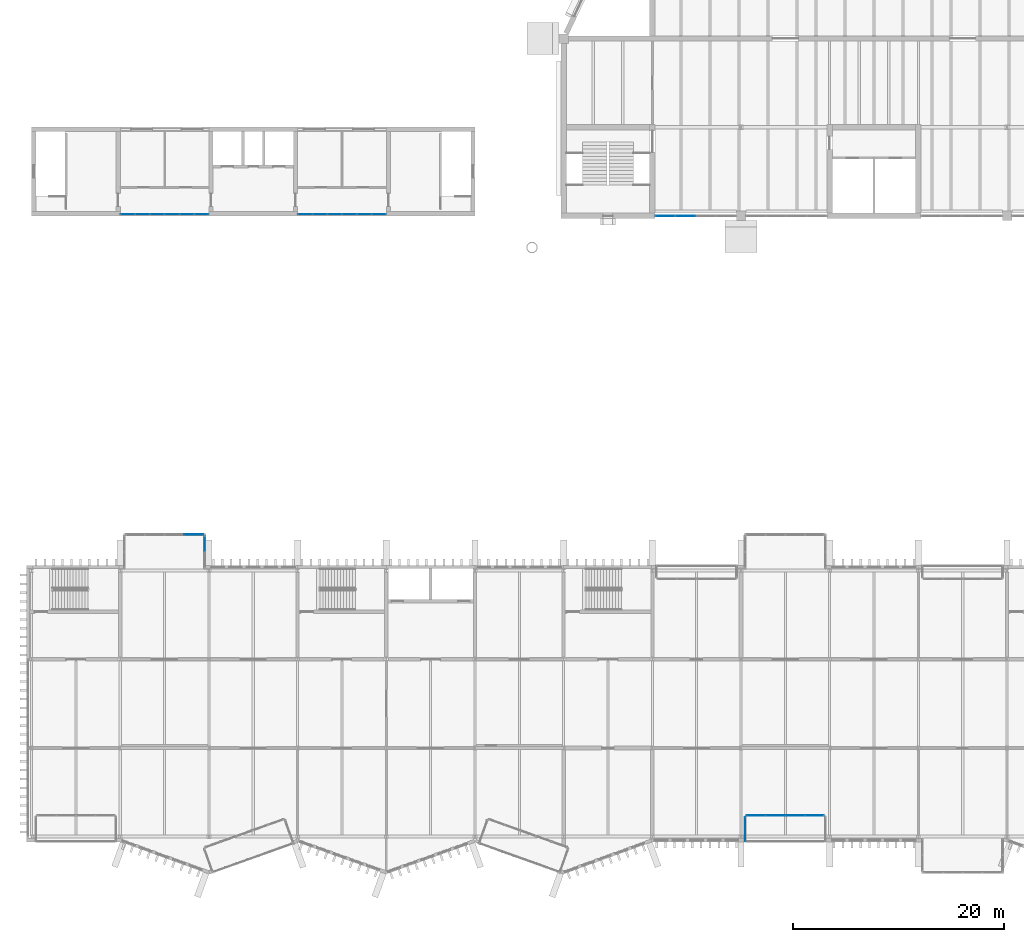
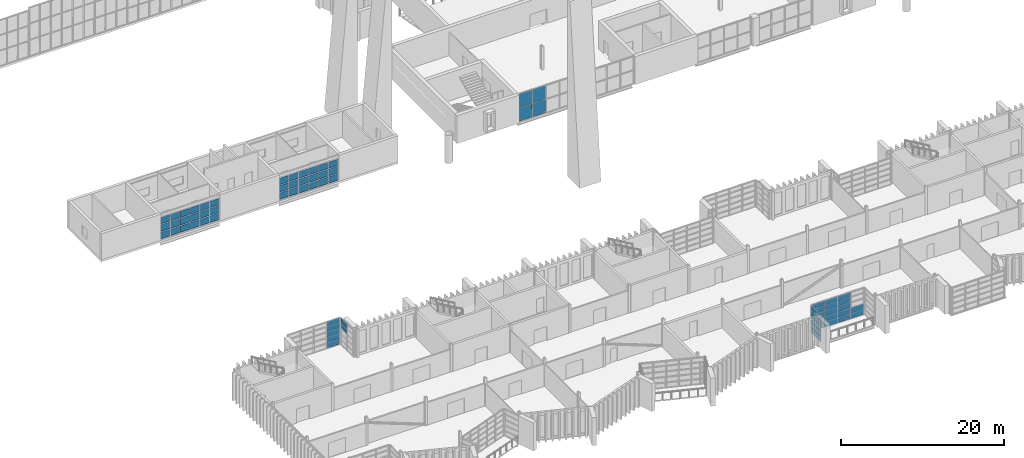
# One storey, part 47 of 100: 69 plates, 7 elements without a shape of their own.
"""IFC4 building model written with IfcOpenShell, lengths in metres."""

from ifc_helpers import new_model, si_unit, direction, frame, origin, origin_2d, place, context, subcontext, project, spatial, rectangle, extrude, material, layer, layer_set, type_object, element, aggregate, save


model = new_model("IFC4")

# Units and contexts
model_context = context("Model", 3, precision=1e-05, world=origin(), true_north=direction((0.0, 1.0)))
body_context = subcontext(model_context, "Body", "Model", "MODEL_VIEW")
ifc_project = project(units=[si_unit("LENGTHUNIT", "METRE"), si_unit("AREAUNIT", "SQUARE_METRE"), si_unit("VOLUMEUNIT", "CUBIC_METRE"), si_unit("PLANEANGLEUNIT", "RADIAN"), si_unit("MASSUNIT", "GRAM", prefix="KILO")], contexts=[model_context])

# Site, building, storey
site_placement = place(None, origin())
site = spatial("IfcSite", under=ifc_project, at=site_placement, CompositionType="ELEMENT")
building_placement = place(site_placement, origin())
building = spatial("IfcBuilding", under=site, at=building_placement, Name="Cresset Court Congress Hotel", CompositionType="ELEMENT")
storey_placement = place(building_placement, frame((0.0, 0.0, 10.199951171875)))
storey = spatial("IfcBuildingStorey", under=building, at=storey_placement, Name="L02", CompositionType="ELEMENT", Elevation=10.199951171875)

# Curtain wall, plates
ifc_material_1 = material(Name="Aluminium frame with double glazing", Category="aluminium")
ifc_layer_1 = layer(ifc_material_1, 0.199951171875)
ifc_layer_set_1 = layer_set([ifc_layer_1], Name="Glazed box curtain wall 1680 module")
curtain_wall_type_1 = type_object("IfcCurtainWallType", Name="Glazed box curtain wall 1680 module", PredefinedType="NOTDEFINED", material=ifc_layer_set_1)
curtain_wall_1_placement = place(storey_placement, origin())
curtain_wall_1 = element("IfcCurtainWall", 1, at=curtain_wall_1_placement, inside=storey, type_object=curtain_wall_type_1, Name="Glazed box S0210 front", PredefinedType="NOTDEFINED")
ifc_material_2 = material(Name="Toughened double glazing", Category="glass")
ifc_layer_2 = layer(ifc_material_2, 0.028076171875)
ifc_layer_set_2 = layer_set([ifc_layer_2], Name="Box glass panel 28")
plate_type_1 = type_object("IfcPlateType", Name="Box glass panel 28", PredefinedType="CURTAIN_PANEL", material=ifc_layer_set_2)
plate_1_placement = place(storey_placement, frame((77.0400390625, 2.0, 0.06005859375), z_axis=(0.0, 0.0, 1.0), x_axis=(1.0, 0.0, 0.0)))
plate_1 = element("IfcPlate", 2, at=plate_1_placement, type_object=plate_type_1, Name="B-X1 panel 1.1", PredefinedType="CURTAIN_PANEL", context=body_context, shape_type="SweptSolid", body=[
    extrude(rectangle(XDim=1.760009765625, YDim=0.028076171875, at=origin_2d()), origin(), (0.0, 0.0, 1.0), 0.739990234375),
])
plate_2_placement = place(storey_placement, frame((77.0400390625, 2.0, 0.860107421875), z_axis=(0.0, 0.0, 1.0), x_axis=(1.0, 0.0, 0.0)))
plate_2 = element("IfcPlate", 3, at=plate_2_placement, type_object=plate_type_1, Name="B-X1 panel 1.2", PredefinedType="CURTAIN_PANEL", context=body_context, shape_type="SweptSolid", body=[
    extrude(rectangle(XDim=1.760009765625, YDim=0.028076171875, at=origin_2d()), origin(), (0.0, 0.0, 1.0), 0.77001953125),
])
plate_3_placement = place(storey_placement, frame((77.0400390625, 2.0, 1.68994140625), z_axis=(0.0, 0.0, 1.0), x_axis=(1.0, 0.0, 0.0)))
plate_3 = element("IfcPlate", 4, at=plate_3_placement, type_object=plate_type_1, Name="B-X1 panel 1.3", PredefinedType="CURTAIN_PANEL", context=body_context, shape_type="SweptSolid", body=[
    extrude(rectangle(XDim=1.760009765625, YDim=0.028076171875, at=origin_2d()), origin(), (0.0, 0.0, 1.0), 0.77001953125),
])
plate_4_placement = place(storey_placement, frame((77.0400390625, 2.0, 2.52001953125), z_axis=(0.0, 0.0, 1.0), x_axis=(1.0, 0.0, 0.0)))
plate_4 = element("IfcPlate", 5, at=plate_4_placement, type_object=plate_type_1, Name="B-X1 panel 1.4", PredefinedType="CURTAIN_PANEL", context=body_context, shape_type="SweptSolid", body=[
    extrude(rectangle(XDim=1.760009765625, YDim=0.028076171875, at=origin_2d()), origin(), (0.0, 0.0, 1.0), 0.77001953125),
])
plate_5_placement = place(storey_placement, frame((78.875, 2.0, 0.06005859375), z_axis=(0.0, 0.0, 1.0), x_axis=(1.0, 0.0, 0.0)))
plate_5 = element("IfcPlate", 6, at=plate_5_placement, type_object=plate_type_1, Name="B-X1 panel 2.1", PredefinedType="CURTAIN_PANEL", context=body_context, shape_type="SweptSolid", body=[
    extrude(rectangle(XDim=1.7900390625, YDim=0.028076171875, at=origin_2d()), origin(), (0.0, 0.0, 1.0), 0.739990234375),
])
plate_6_placement = place(storey_placement, frame((78.875, 2.0, 0.860107421875), z_axis=(0.0, 0.0, 1.0), x_axis=(1.0, 0.0, 0.0)))
plate_6 = element("IfcPlate", 7, at=plate_6_placement, type_object=plate_type_1, Name="B-X1 panel 2.2", PredefinedType="CURTAIN_PANEL", context=body_context, shape_type="SweptSolid", body=[
    extrude(rectangle(XDim=1.7900390625, YDim=0.028076171875, at=origin_2d()), origin(), (0.0, 0.0, 1.0), 0.77001953125),
])
plate_7_placement = place(storey_placement, frame((78.875, 2.0, 1.68994140625), z_axis=(0.0, 0.0, 1.0), x_axis=(1.0, 0.0, 0.0)))
plate_7 = element("IfcPlate", 8, at=plate_7_placement, type_object=plate_type_1, Name="B-X1 panel 2.3", PredefinedType="CURTAIN_PANEL", context=body_context, shape_type="SweptSolid", body=[
    extrude(rectangle(XDim=1.7900390625, YDim=0.028076171875, at=origin_2d()), origin(), (0.0, 0.0, 1.0), 0.77001953125),
])
plate_8_placement = place(storey_placement, frame((78.875, 2.0, 2.52001953125), z_axis=(0.0, 0.0, 1.0), x_axis=(1.0, 0.0, 0.0)))
plate_8 = element("IfcPlate", 9, at=plate_8_placement, type_object=plate_type_1, Name="B-X1 panel 2.4", PredefinedType="CURTAIN_PANEL", context=body_context, shape_type="SweptSolid", body=[
    extrude(rectangle(XDim=1.7900390625, YDim=0.028076171875, at=origin_2d()), origin(), (0.0, 0.0, 1.0), 0.77001953125),
])
plate_9_placement = place(storey_placement, frame((80.72509765625, 2.0, 0.06005859375), z_axis=(0.0, 0.0, 1.0), x_axis=(1.0, 0.0, 0.0)))
plate_9 = element("IfcPlate", 10, at=plate_9_placement, type_object=plate_type_1, Name="B-X1 panel 3.1", PredefinedType="CURTAIN_PANEL", context=body_context, shape_type="SweptSolid", body=[
    extrude(rectangle(XDim=1.7900390625, YDim=0.028076171875, at=origin_2d()), origin(), (0.0, 0.0, 1.0), 0.739990234375),
])
plate_10_placement = place(storey_placement, frame((80.72509765625, 2.0, 0.860107421875), z_axis=(0.0, 0.0, 1.0), x_axis=(1.0, 0.0, 0.0)))
plate_10 = element("IfcPlate", 11, at=plate_10_placement, type_object=plate_type_1, Name="B-X1 panel 3.2", PredefinedType="CURTAIN_PANEL", context=body_context, shape_type="SweptSolid", body=[
    extrude(rectangle(XDim=1.7900390625, YDim=0.028076171875, at=origin_2d()), origin(), (0.0, 0.0, 1.0), 0.77001953125),
])
plate_11_placement = place(storey_placement, frame((80.72509765625, 2.0, 1.68994140625), z_axis=(0.0, 0.0, 1.0), x_axis=(1.0, 0.0, 0.0)))
plate_11 = element("IfcPlate", 12, at=plate_11_placement, type_object=plate_type_1, Name="B-X1 panel 3.3", PredefinedType="CURTAIN_PANEL", context=body_context, shape_type="SweptSolid", body=[
    extrude(rectangle(XDim=1.7900390625, YDim=0.028076171875, at=origin_2d()), origin(), (0.0, 0.0, 1.0), 0.77001953125),
])
plate_12_placement = place(storey_placement, frame((80.72509765625, 2.0, 2.52001953125), z_axis=(0.0, 0.0, 1.0), x_axis=(1.0, 0.0, 0.0)))
plate_12 = element("IfcPlate", 13, at=plate_12_placement, type_object=plate_type_1, Name="B-X1 panel 3.4", PredefinedType="CURTAIN_PANEL", context=body_context, shape_type="SweptSolid", body=[
    extrude(rectangle(XDim=1.7900390625, YDim=0.028076171875, at=origin_2d()), origin(), (0.0, 0.0, 1.0), 0.77001953125),
])
plate_13_placement = place(storey_placement, frame((82.56005859375, 2.0, 0.06005859375), z_axis=(0.0, 0.0, 1.0), x_axis=(1.0, 0.0, 0.0)))
plate_13 = element("IfcPlate", 14, at=plate_13_placement, type_object=plate_type_1, Name="B-X1 panel 4.1", PredefinedType="CURTAIN_PANEL", context=body_context, shape_type="SweptSolid", body=[
    extrude(rectangle(XDim=1.760009765625, YDim=0.028076171875, at=origin_2d()), origin(), (0.0, 0.0, 1.0), 0.739990234375),
])
plate_14_placement = place(storey_placement, frame((82.56005859375, 2.0, 0.860107421875), z_axis=(0.0, 0.0, 1.0), x_axis=(1.0, 0.0, 0.0)))
plate_14 = element("IfcPlate", 15, at=plate_14_placement, type_object=plate_type_1, Name="B-X1 panel 4.2", PredefinedType="CURTAIN_PANEL", context=body_context, shape_type="SweptSolid", body=[
    extrude(rectangle(XDim=1.760009765625, YDim=0.028076171875, at=origin_2d()), origin(), (0.0, 0.0, 1.0), 0.77001953125),
])

curtain_wall_2_placement = place(storey_placement, origin())
curtain_wall_2 = element("IfcCurtainWall", 16, at=curtain_wall_2_placement, inside=storey, type_object=curtain_wall_type_1, Name="Glazed box S0210 side", PredefinedType="NOTDEFINED")
plate_15_placement = place(storey_placement, frame((76.0, 0.699951171875, 0.06005859375), z_axis=(0.0, 0.0, 1.0), x_axis=(0.0, 1.0, 0.0)))
plate_15 = element("IfcPlate", 17, at=plate_15_placement, type_object=plate_type_1, Name="B-X1 panel 1.1", PredefinedType="CURTAIN_PANEL", context=body_context, shape_type="SweptSolid", body=[
    extrude(rectangle(XDim=2.280029296875, YDim=0.028076171875, at=origin_2d()), origin(), (0.0, 0.0, 1.0), 0.739990234375),
])
plate_16_placement = place(storey_placement, frame((76.0, 0.699951171875, 0.860107421875), z_axis=(0.0, 0.0, 1.0), x_axis=(0.0, 1.0, 0.0)))
plate_16 = element("IfcPlate", 18, at=plate_16_placement, type_object=plate_type_1, Name="B-X1 panel 1.2", PredefinedType="CURTAIN_PANEL", context=body_context, shape_type="SweptSolid", body=[
    extrude(rectangle(XDim=2.280029296875, YDim=0.028076171875, at=origin_2d()), origin(), (0.0, 0.0, 1.0), 0.77001953125),
])
plate_17_placement = place(storey_placement, frame((76.0, 0.699951171875, 1.68994140625), z_axis=(0.0, 0.0, 1.0), x_axis=(0.0, 1.0, 0.0)))
plate_17 = element("IfcPlate", 19, at=plate_17_placement, type_object=plate_type_1, Name="B-X1 panel 1.3", PredefinedType="CURTAIN_PANEL", context=body_context, shape_type="SweptSolid", body=[
    extrude(rectangle(XDim=2.280029296875, YDim=0.028076171875, at=origin_2d()), origin(), (0.0, 0.0, 1.0), 0.77001953125),
])
plate_18_placement = place(storey_placement, frame((76.0, 0.699951171875, 2.52001953125), z_axis=(0.0, 0.0, 1.0), x_axis=(0.0, 1.0, 0.0)))
plate_18 = element("IfcPlate", 20, at=plate_18_placement, type_object=plate_type_1, Name="B-X1 panel 1.4", PredefinedType="CURTAIN_PANEL", context=body_context, shape_type="SweptSolid", body=[
    extrude(rectangle(XDim=2.280029296875, YDim=0.028076171875, at=origin_2d()), origin(), (0.0, 0.0, 1.0), 0.77001953125),
])

curtain_wall_3_placement = place(storey_placement, origin())
curtain_wall_3 = element("IfcCurtainWall", 21, at=curtain_wall_3_placement, inside=storey, type_object=curtain_wall_type_1, Name="Glazed box N0224 front", PredefinedType="NOTDEFINED")
plate_19_placement = place(storey_placement, frame((23.760009765625, 28.60009765625, 0.06005859375), z_axis=(0.0, 0.0, 1.0), x_axis=(1.0, 0.0, 0.0)))
plate_19 = element("IfcPlate", 22, at=plate_19_placement, type_object=plate_type_1, Name="B-X1 panel 4.1", PredefinedType="CURTAIN_PANEL", context=body_context, shape_type="SweptSolid", body=[
    extrude(rectangle(XDim=1.760009765625, YDim=0.028076171875, at=origin_2d()), origin(), (0.0, 0.0, 1.0), 0.739990234375),
])
plate_20_placement = place(storey_placement, frame((23.760009765625, 28.60009765625, 0.860107421875), z_axis=(0.0, 0.0, 1.0), x_axis=(1.0, 0.0, 0.0)))
plate_20 = element("IfcPlate", 23, at=plate_20_placement, type_object=plate_type_1, Name="B-X1 panel 4.2", PredefinedType="CURTAIN_PANEL", context=body_context, shape_type="SweptSolid", body=[
    extrude(rectangle(XDim=1.760009765625, YDim=0.028076171875, at=origin_2d()), origin(), (0.0, 0.0, 1.0), 0.77001953125),
])
plate_21_placement = place(storey_placement, frame((23.760009765625, 28.60009765625, 1.68994140625), z_axis=(0.0, 0.0, 1.0), x_axis=(1.0, 0.0, 0.0)))
plate_21 = element("IfcPlate", 24, at=plate_21_placement, type_object=plate_type_1, Name="B-X1 panel 4.3", PredefinedType="CURTAIN_PANEL", context=body_context, shape_type="SweptSolid", body=[
    extrude(rectangle(XDim=1.760009765625, YDim=0.028076171875, at=origin_2d()), origin(), (0.0, 0.0, 1.0), 0.77001953125),
])
plate_22_placement = place(storey_placement, frame((23.760009765625, 28.60009765625, 2.52001953125), z_axis=(0.0, 0.0, 1.0), x_axis=(1.0, 0.0, 0.0)))
plate_22 = element("IfcPlate", 25, at=plate_22_placement, type_object=plate_type_1, Name="B-X1 panel 4.4", PredefinedType="CURTAIN_PANEL", context=body_context, shape_type="SweptSolid", body=[
    extrude(rectangle(XDim=1.760009765625, YDim=0.028076171875, at=origin_2d()), origin(), (0.0, 0.0, 1.0), 0.77001953125),
])

# Curtain wall, plate
curtain_wall_4_placement = place(storey_placement, origin())
curtain_wall_4 = element("IfcCurtainWall", 26, at=curtain_wall_4_placement, inside=storey, type_object=curtain_wall_type_1, Name="Glazed box N0224 side", PredefinedType="NOTDEFINED")
plate_23_placement = place(storey_placement, frame((24.800048828125, 27.7099609375, 2.52001953125), z_axis=(0.0, 0.0, 1.0), x_axis=(0.0, 1.0, 0.0)))
plate_23 = element("IfcPlate", 27, at=plate_23_placement, type_object=plate_type_1, Name="B-X1 panel 2.4", PredefinedType="CURTAIN_PANEL", context=body_context, shape_type="SweptSolid", body=[
    extrude(rectangle(XDim=1.4599609375, YDim=0.028076171875, at=origin_2d()), origin(), (0.0, 0.0, 1.0), 0.77001953125),
])

# Plate
ifc_material_3 = material(Name="Insulated aluminium spandrel panel", Category="aluminium")
ifc_layer_3 = layer(ifc_material_3, 0.0400390625)
ifc_layer_set_3 = layer_set([ifc_layer_3], Name="Box spandrel panel 40")
plate_type_2 = type_object("IfcPlateType", Name="Box spandrel panel 40", PredefinedType="CURTAIN_PANEL", material=ifc_layer_set_3)
plate_24_placement = place(storey_placement, frame((77.0400390625, 2.0, 3.35009765625), z_axis=(0.0, 0.0, 1.0), x_axis=(1.0, 0.0, 0.0)))
plate_24 = element("IfcPlate", 28, at=plate_24_placement, type_object=plate_type_2, Name="B-X1 spandrel panel 1.5", PredefinedType="CURTAIN_PANEL", context=body_context, shape_type="SweptSolid", body=[
    extrude(rectangle(XDim=1.760009765625, YDim=0.0400390625, at=origin_2d()), origin(), (0.0, 0.0, 1.0), 0.639892578125),
])

plate_25_placement = place(storey_placement, frame((78.875, 2.0, 3.35009765625), z_axis=(0.0, 0.0, 1.0), x_axis=(1.0, 0.0, 0.0)))
plate_25 = element("IfcPlate", 29, at=plate_25_placement, type_object=plate_type_2, Name="B-X1 spandrel panel 2.5", PredefinedType="CURTAIN_PANEL", context=body_context, shape_type="SweptSolid", body=[
    extrude(rectangle(XDim=1.7900390625, YDim=0.0400390625, at=origin_2d()), origin(), (0.0, 0.0, 1.0), 0.639892578125),
])

plate_26_placement = place(storey_placement, frame((80.72509765625, 2.0, 3.35009765625), z_axis=(0.0, 0.0, 1.0), x_axis=(1.0, 0.0, 0.0)))
plate_26 = element("IfcPlate", 30, at=plate_26_placement, type_object=plate_type_2, Name="B-X1 spandrel panel 3.5", PredefinedType="CURTAIN_PANEL", context=body_context, shape_type="SweptSolid", body=[
    extrude(rectangle(XDim=1.7900390625, YDim=0.0400390625, at=origin_2d()), origin(), (0.0, 0.0, 1.0), 0.639892578125),
])

aggregate(curtain_wall_1, [plate_1, plate_2, plate_3, plate_4, plate_24, plate_5, plate_6, plate_7, plate_8, plate_25, plate_9, plate_10, plate_11, plate_12, plate_26, plate_13, plate_14])

plate_27_placement = place(storey_placement, frame((76.0, 0.699951171875, 3.35009765625), z_axis=(0.0, 0.0, 1.0), x_axis=(0.0, 1.0, 0.0)))
plate_27 = element("IfcPlate", 31, at=plate_27_placement, type_object=plate_type_2, Name="B-X1 spandrel panel 1.5", PredefinedType="CURTAIN_PANEL", context=body_context, shape_type="SweptSolid", body=[
    extrude(rectangle(XDim=2.280029296875, YDim=0.0400390625, at=origin_2d()), origin(), (0.0, 0.0, 1.0), 0.639892578125),
])

aggregate(curtain_wall_2, [plate_15, plate_16, plate_17, plate_18, plate_27])

plate_28_placement = place(storey_placement, frame((23.760009765625, 28.60009765625, 3.35009765625), z_axis=(0.0, 0.0, 1.0), x_axis=(1.0, 0.0, 0.0)))
plate_28 = element("IfcPlate", 32, at=plate_28_placement, type_object=plate_type_2, Name="B-X1 spandrel panel 4.5", PredefinedType="CURTAIN_PANEL", context=body_context, shape_type="SweptSolid", body=[
    extrude(rectangle(XDim=1.760009765625, YDim=0.0400390625, at=origin_2d()), origin(), (0.0, 0.0, 1.0), 0.639892578125),
])

aggregate(curtain_wall_3, [plate_19, plate_20, plate_21, plate_22, plate_28])

plate_29_placement = place(storey_placement, frame((24.800048828125, 27.7099609375, 3.35009765625), z_axis=(0.0, 0.0, 1.0), x_axis=(0.0, 1.0, 0.0)))
plate_29 = element("IfcPlate", 33, at=plate_29_placement, type_object=plate_type_2, Name="B-X1 spandrel panel 2.5", PredefinedType="CURTAIN_PANEL", context=body_context, shape_type="SweptSolid", body=[
    extrude(rectangle(XDim=1.4599609375, YDim=0.0400390625, at=origin_2d()), origin(), (0.0, 0.0, 1.0), 0.639892578125),
])

aggregate(curtain_wall_4, [plate_23, plate_29])

# Curtain wall, plates
ifc_material_4 = material(Name="Aluminium and glass", Category="aluminium")
ifc_layer_4 = layer(ifc_material_4, 0.199951171875)
ifc_layer_set_4 = layer_set([ifc_layer_4], Name="Foyer curtain wall 1925 module")
curtain_wall_type_2 = type_object("IfcCurtainWallType", Name="Foyer curtain wall 1925 module", PredefinedType="NOTDEFINED", material=ifc_layer_set_4)
curtain_wall_5_placement = place(storey_placement, origin())
curtain_wall_5 = element("IfcCurtainWall", 34, at=curtain_wall_5_placement, inside=storey, type_object=curtain_wall_type_2, Name="Curtain wall CX-021", PredefinedType="NOTDEFINED")
ifc_material_5 = material(Name="Laminated glass", Category="glass")
ifc_layer_5 = layer(ifc_material_5, 0.028076171875)
ifc_layer_set_5 = layer_set([ifc_layer_5], Name="Curtain wall glass panel 28")
plate_type_3 = type_object("IfcPlateType", Name="Curtain wall glass panel 28", PredefinedType="CURTAIN_PANEL", material=ifc_layer_set_5)
plate_30_placement = place(storey_placement, frame((68.427490234375, 58.800048828125, 0.06005859375), z_axis=(0.0, 0.0, 1.0), x_axis=(1.0, 0.0, 0.0)))
plate_30 = element("IfcPlate", 35, at=plate_30_placement, type_object=plate_type_3, Name="C-X1 panel 1.1", PredefinedType="CURTAIN_PANEL", context=body_context, shape_type="SweptSolid", body=[
    extrude(rectangle(XDim=1.8349609375, YDim=0.028076171875, at=origin_2d()), origin(), (0.0, 0.0, 1.0), 2.010009765625),
])
plate_31_placement = place(storey_placement, frame((68.427490234375, 58.800048828125, 2.1298828125), z_axis=(0.0, 0.0, 1.0), x_axis=(1.0, 0.0, 0.0)))
plate_31 = element("IfcPlate", 36, at=plate_31_placement, type_object=plate_type_3, Name="C-X1 panel 1.2", PredefinedType="CURTAIN_PANEL", context=body_context, shape_type="SweptSolid", body=[
    extrude(rectangle(XDim=1.8349609375, YDim=0.028076171875, at=origin_2d()), origin(), (0.0, 0.0, 1.0), 2.010009765625),
])
plate_32_placement = place(storey_placement, frame((70.33740234375, 58.800048828125, 0.06005859375), z_axis=(0.0, 0.0, 1.0), x_axis=(1.0, 0.0, 0.0)))
plate_32 = element("IfcPlate", 37, at=plate_32_placement, type_object=plate_type_3, Name="C-X1 panel 2.1", PredefinedType="CURTAIN_PANEL", context=body_context, shape_type="SweptSolid", body=[
    extrude(rectangle(XDim=1.864990234375, YDim=0.028076171875, at=origin_2d()), origin(), (0.0, 0.0, 1.0), 2.010009765625),
])
plate_33_placement = place(storey_placement, frame((70.33740234375, 58.800048828125, 2.1298828125), z_axis=(0.0, 0.0, 1.0), x_axis=(1.0, 0.0, 0.0)))
plate_33 = element("IfcPlate", 38, at=plate_33_placement, type_object=plate_type_3, Name="C-X1 panel 2.2", PredefinedType="CURTAIN_PANEL", context=body_context, shape_type="SweptSolid", body=[
    extrude(rectangle(XDim=1.864990234375, YDim=0.028076171875, at=origin_2d()), origin(), (0.0, 0.0, 1.0), 2.010009765625),
])
aggregate(curtain_wall_5, [plate_30, plate_31, plate_32, plate_33])

ifc_material_6 = material(Name="Aluminium frame with insulated glass", Category="aluminium")
curtain_wall_type_3 = type_object("IfcCurtainWallType", Name="Curtain wall module 1400", PredefinedType="NOTDEFINED", material=ifc_material_6)
curtain_wall_6_placement = place(storey_placement, origin())
curtain_wall_6 = element("IfcCurtainWall", 39, at=curtain_wall_6_placement, inside=storey, type_object=curtain_wall_type_3, Name="Curtain wall W", PredefinedType="NOTDEFINED")
plate_34_placement = place(storey_placement, frame((17.514892578125, 58.949951171875, 0.1201171875), z_axis=(0.0, 0.0, 1.0), x_axis=(1.0, 0.0, 0.0)))
plate_34 = element("IfcPlate", 40, at=plate_34_placement, type_object=plate_type_3, Name="D-X2 panel 1.1", PredefinedType="CURTAIN_PANEL", context=body_context, shape_type="SweptSolid", body=[
    extrude(rectangle(XDim=1.31005859375, YDim=0.028076171875, at=origin_2d()), origin(), (0.0, 0.0, 1.0), 0.98291015625),
])
plate_35_placement = place(storey_placement, frame((17.514892578125, 58.949951171875, 1.22314453125), z_axis=(0.0, 0.0, 1.0), x_axis=(1.0, 0.0, 0.0)))
plate_35 = element("IfcPlate", 41, at=plate_35_placement, type_object=plate_type_3, Name="D-X2 panel 1.2", PredefinedType="CURTAIN_PANEL", context=body_context, shape_type="SweptSolid", body=[
    extrude(rectangle(XDim=1.31005859375, YDim=0.028076171875, at=origin_2d()), origin(), (0.0, 0.0, 1.0), 1.008056640625),
])
plate_36_placement = place(storey_placement, frame((17.514892578125, 58.949951171875, 2.35107421875), z_axis=(0.0, 0.0, 1.0), x_axis=(1.0, 0.0, 0.0)))
plate_36 = element("IfcPlate", 42, at=plate_36_placement, type_object=plate_type_3, Name="D-X2 panel 1.3", PredefinedType="CURTAIN_PANEL", context=body_context, shape_type="SweptSolid", body=[
    extrude(rectangle(XDim=1.31005859375, YDim=0.028076171875, at=origin_2d()), origin(), (0.0, 0.0, 1.0), 0.948974609375),
])
plate_37_placement = place(storey_placement, frame((18.89990234375, 58.949951171875, 0.1201171875), z_axis=(0.0, 0.0, 1.0), x_axis=(1.0, 0.0, 0.0)))
plate_37 = element("IfcPlate", 43, at=plate_37_placement, type_object=plate_type_3, Name="D-X2 panel 2.1", PredefinedType="CURTAIN_PANEL", context=body_context, shape_type="SweptSolid", body=[
    extrude(rectangle(XDim=1.340087890625, YDim=0.028076171875, at=origin_2d()), origin(), (0.0, 0.0, 1.0), 0.98291015625),
])
plate_38_placement = place(storey_placement, frame((18.89990234375, 58.949951171875, 1.22314453125), z_axis=(0.0, 0.0, 1.0), x_axis=(1.0, 0.0, 0.0)))
plate_38 = element("IfcPlate", 44, at=plate_38_placement, type_object=plate_type_3, Name="D-X2 panel 2.2", PredefinedType="CURTAIN_PANEL", context=body_context, shape_type="SweptSolid", body=[
    extrude(rectangle(XDim=1.340087890625, YDim=0.028076171875, at=origin_2d()), origin(), (0.0, 0.0, 1.0), 1.008056640625),
])
plate_39_placement = place(storey_placement, frame((18.89990234375, 58.949951171875, 2.35107421875), z_axis=(0.0, 0.0, 1.0), x_axis=(1.0, 0.0, 0.0)))
plate_39 = element("IfcPlate", 45, at=plate_39_placement, type_object=plate_type_3, Name="D-X2 panel 2.3", PredefinedType="CURTAIN_PANEL", context=body_context, shape_type="SweptSolid", body=[
    extrude(rectangle(XDim=1.340087890625, YDim=0.028076171875, at=origin_2d()), origin(), (0.0, 0.0, 1.0), 0.948974609375),
])
plate_40_placement = place(storey_placement, frame((20.300048828125, 58.949951171875, 0.1201171875), z_axis=(0.0, 0.0, 1.0), x_axis=(1.0, 0.0, 0.0)))
plate_40 = element("IfcPlate", 46, at=plate_40_placement, type_object=plate_type_3, Name="D-X2 panel 3.1", PredefinedType="CURTAIN_PANEL", context=body_context, shape_type="SweptSolid", body=[
    extrude(rectangle(XDim=1.340087890625, YDim=0.028076171875, at=origin_2d()), origin(), (0.0, 0.0, 1.0), 0.98291015625),
])
plate_41_placement = place(storey_placement, frame((20.300048828125, 58.949951171875, 1.22314453125), z_axis=(0.0, 0.0, 1.0), x_axis=(1.0, 0.0, 0.0)))
plate_41 = element("IfcPlate", 47, at=plate_41_placement, type_object=plate_type_3, Name="D-X2 panel 3.2", PredefinedType="CURTAIN_PANEL", context=body_context, shape_type="SweptSolid", body=[
    extrude(rectangle(XDim=1.340087890625, YDim=0.028076171875, at=origin_2d()), origin(), (0.0, 0.0, 1.0), 1.008056640625),
])
plate_42_placement = place(storey_placement, frame((20.300048828125, 58.949951171875, 2.35107421875), z_axis=(0.0, 0.0, 1.0), x_axis=(1.0, 0.0, 0.0)))
plate_42 = element("IfcPlate", 48, at=plate_42_placement, type_object=plate_type_3, Name="D-X2 panel 3.3", PredefinedType="CURTAIN_PANEL", context=body_context, shape_type="SweptSolid", body=[
    extrude(rectangle(XDim=1.340087890625, YDim=0.028076171875, at=origin_2d()), origin(), (0.0, 0.0, 1.0), 0.948974609375),
])
plate_43_placement = place(storey_placement, frame((21.699951171875, 58.949951171875, 0.1201171875), z_axis=(0.0, 0.0, 1.0), x_axis=(1.0, 0.0, 0.0)))
plate_43 = element("IfcPlate", 49, at=plate_43_placement, type_object=plate_type_3, Name="D-X2 panel 4.1", PredefinedType="CURTAIN_PANEL", context=body_context, shape_type="SweptSolid", body=[
    extrude(rectangle(XDim=1.340087890625, YDim=0.028076171875, at=origin_2d()), origin(), (0.0, 0.0, 1.0), 0.98291015625),
])
plate_44_placement = place(storey_placement, frame((21.699951171875, 58.949951171875, 1.22314453125), z_axis=(0.0, 0.0, 1.0), x_axis=(1.0, 0.0, 0.0)))
plate_44 = element("IfcPlate", 50, at=plate_44_placement, type_object=plate_type_3, Name="D-X2 panel 4.2", PredefinedType="CURTAIN_PANEL", context=body_context, shape_type="SweptSolid", body=[
    extrude(rectangle(XDim=1.340087890625, YDim=0.028076171875, at=origin_2d()), origin(), (0.0, 0.0, 1.0), 1.008056640625),
])
plate_45_placement = place(storey_placement, frame((21.699951171875, 58.949951171875, 2.35107421875), z_axis=(0.0, 0.0, 1.0), x_axis=(1.0, 0.0, 0.0)))
plate_45 = element("IfcPlate", 51, at=plate_45_placement, type_object=plate_type_3, Name="D-X2 panel 4.3", PredefinedType="CURTAIN_PANEL", context=body_context, shape_type="SweptSolid", body=[
    extrude(rectangle(XDim=1.340087890625, YDim=0.028076171875, at=origin_2d()), origin(), (0.0, 0.0, 1.0), 0.948974609375),
])
plate_46_placement = place(storey_placement, frame((23.10009765625, 58.949951171875, 0.1201171875), z_axis=(0.0, 0.0, 1.0), x_axis=(1.0, 0.0, 0.0)))
plate_46 = element("IfcPlate", 52, at=plate_46_placement, type_object=plate_type_3, Name="D-X2 panel 5.1", PredefinedType="CURTAIN_PANEL", context=body_context, shape_type="SweptSolid", body=[
    extrude(rectangle(XDim=1.340087890625, YDim=0.028076171875, at=origin_2d()), origin(), (0.0, 0.0, 1.0), 0.98291015625),
])
plate_47_placement = place(storey_placement, frame((23.10009765625, 58.949951171875, 1.22314453125), z_axis=(0.0, 0.0, 1.0), x_axis=(1.0, 0.0, 0.0)))
plate_47 = element("IfcPlate", 53, at=plate_47_placement, type_object=plate_type_3, Name="D-X2 panel 5.2", PredefinedType="CURTAIN_PANEL", context=body_context, shape_type="SweptSolid", body=[
    extrude(rectangle(XDim=1.340087890625, YDim=0.028076171875, at=origin_2d()), origin(), (0.0, 0.0, 1.0), 1.008056640625),
])
plate_48_placement = place(storey_placement, frame((23.10009765625, 58.949951171875, 2.35107421875), z_axis=(0.0, 0.0, 1.0), x_axis=(1.0, 0.0, 0.0)))
plate_48 = element("IfcPlate", 54, at=plate_48_placement, type_object=plate_type_3, Name="D-X2 panel 5.3", PredefinedType="CURTAIN_PANEL", context=body_context, shape_type="SweptSolid", body=[
    extrude(rectangle(XDim=1.340087890625, YDim=0.028076171875, at=origin_2d()), origin(), (0.0, 0.0, 1.0), 0.948974609375),
])
plate_49_placement = place(storey_placement, frame((24.485107421875, 58.949951171875, 0.1201171875), z_axis=(0.0, 0.0, 1.0), x_axis=(1.0, 0.0, 0.0)))
plate_49 = element("IfcPlate", 55, at=plate_49_placement, type_object=plate_type_3, Name="D-X2 panel 6.1", PredefinedType="CURTAIN_PANEL", context=body_context, shape_type="SweptSolid", body=[
    extrude(rectangle(XDim=1.31005859375, YDim=0.028076171875, at=origin_2d()), origin(), (0.0, 0.0, 1.0), 0.98291015625),
])
plate_50_placement = place(storey_placement, frame((24.485107421875, 58.949951171875, 1.22314453125), z_axis=(0.0, 0.0, 1.0), x_axis=(1.0, 0.0, 0.0)))
plate_50 = element("IfcPlate", 56, at=plate_50_placement, type_object=plate_type_3, Name="D-X2 panel 6.2", PredefinedType="CURTAIN_PANEL", context=body_context, shape_type="SweptSolid", body=[
    extrude(rectangle(XDim=1.31005859375, YDim=0.028076171875, at=origin_2d()), origin(), (0.0, 0.0, 1.0), 1.008056640625),
])
plate_51_placement = place(storey_placement, frame((24.485107421875, 58.949951171875, 2.35107421875), z_axis=(0.0, 0.0, 1.0), x_axis=(1.0, 0.0, 0.0)))
plate_51 = element("IfcPlate", 57, at=plate_51_placement, type_object=plate_type_3, Name="D-X2 panel 6.3", PredefinedType="CURTAIN_PANEL", context=body_context, shape_type="SweptSolid", body=[
    extrude(rectangle(XDim=1.31005859375, YDim=0.028076171875, at=origin_2d()), origin(), (0.0, 0.0, 1.0), 0.948974609375),
])
aggregate(curtain_wall_6, [plate_34, plate_35, plate_36, plate_37, plate_38, plate_39, plate_40, plate_41, plate_42, plate_43, plate_44, plate_45, plate_46, plate_47, plate_48, plate_49, plate_50, plate_51])

curtain_wall_7_placement = place(storey_placement, origin())
curtain_wall_7 = element("IfcCurtainWall", 58, at=curtain_wall_7_placement, inside=storey, type_object=curtain_wall_type_3, Name="Curtain wall E", PredefinedType="NOTDEFINED")
plate_52_placement = place(storey_placement, frame((34.31494140625, 58.949951171875, 0.1201171875), z_axis=(0.0, 0.0, 1.0), x_axis=(1.0, 0.0, 0.0)))
plate_52 = element("IfcPlate", 59, at=plate_52_placement, type_object=plate_type_3, Name="D-X2 panel 1.1", PredefinedType="CURTAIN_PANEL", context=body_context, shape_type="SweptSolid", body=[
    extrude(rectangle(XDim=1.31005859375, YDim=0.028076171875, at=origin_2d()), origin(), (0.0, 0.0, 1.0), 0.98291015625),
])
plate_53_placement = place(storey_placement, frame((34.31494140625, 58.949951171875, 1.22314453125), z_axis=(0.0, 0.0, 1.0), x_axis=(1.0, 0.0, 0.0)))
plate_53 = element("IfcPlate", 60, at=plate_53_placement, type_object=plate_type_3, Name="D-X2 panel 1.2", PredefinedType="CURTAIN_PANEL", context=body_context, shape_type="SweptSolid", body=[
    extrude(rectangle(XDim=1.31005859375, YDim=0.028076171875, at=origin_2d()), origin(), (0.0, 0.0, 1.0), 1.008056640625),
])
plate_54_placement = place(storey_placement, frame((34.31494140625, 58.949951171875, 2.35107421875), z_axis=(0.0, 0.0, 1.0), x_axis=(1.0, 0.0, 0.0)))
plate_54 = element("IfcPlate", 61, at=plate_54_placement, type_object=plate_type_3, Name="D-X2 panel 1.3", PredefinedType="CURTAIN_PANEL", context=body_context, shape_type="SweptSolid", body=[
    extrude(rectangle(XDim=1.31005859375, YDim=0.028076171875, at=origin_2d()), origin(), (0.0, 0.0, 1.0), 0.948974609375),
])
plate_55_placement = place(storey_placement, frame((35.699951171875, 58.949951171875, 0.1201171875), z_axis=(0.0, 0.0, 1.0), x_axis=(1.0, 0.0, 0.0)))
plate_55 = element("IfcPlate", 62, at=plate_55_placement, type_object=plate_type_3, Name="D-X2 panel 2.1", PredefinedType="CURTAIN_PANEL", context=body_context, shape_type="SweptSolid", body=[
    extrude(rectangle(XDim=1.340087890625, YDim=0.028076171875, at=origin_2d()), origin(), (0.0, 0.0, 1.0), 0.98291015625),
])
plate_56_placement = place(storey_placement, frame((35.699951171875, 58.949951171875, 1.22314453125), z_axis=(0.0, 0.0, 1.0), x_axis=(1.0, 0.0, 0.0)))
plate_56 = element("IfcPlate", 63, at=plate_56_placement, type_object=plate_type_3, Name="D-X2 panel 2.2", PredefinedType="CURTAIN_PANEL", context=body_context, shape_type="SweptSolid", body=[
    extrude(rectangle(XDim=1.340087890625, YDim=0.028076171875, at=origin_2d()), origin(), (0.0, 0.0, 1.0), 1.008056640625),
])
plate_57_placement = place(storey_placement, frame((35.699951171875, 58.949951171875, 2.35107421875), z_axis=(0.0, 0.0, 1.0), x_axis=(1.0, 0.0, 0.0)))
plate_57 = element("IfcPlate", 64, at=plate_57_placement, type_object=plate_type_3, Name="D-X2 panel 2.3", PredefinedType="CURTAIN_PANEL", context=body_context, shape_type="SweptSolid", body=[
    extrude(rectangle(XDim=1.340087890625, YDim=0.028076171875, at=origin_2d()), origin(), (0.0, 0.0, 1.0), 0.948974609375),
])
plate_58_placement = place(storey_placement, frame((37.10009765625, 58.949951171875, 0.1201171875), z_axis=(0.0, 0.0, 1.0), x_axis=(1.0, 0.0, 0.0)))
plate_58 = element("IfcPlate", 65, at=plate_58_placement, type_object=plate_type_3, Name="D-X2 panel 3.1", PredefinedType="CURTAIN_PANEL", context=body_context, shape_type="SweptSolid", body=[
    extrude(rectangle(XDim=1.340087890625, YDim=0.028076171875, at=origin_2d()), origin(), (0.0, 0.0, 1.0), 0.98291015625),
])
plate_59_placement = place(storey_placement, frame((37.10009765625, 58.949951171875, 1.22314453125), z_axis=(0.0, 0.0, 1.0), x_axis=(1.0, 0.0, 0.0)))
plate_59 = element("IfcPlate", 66, at=plate_59_placement, type_object=plate_type_3, Name="D-X2 panel 3.2", PredefinedType="CURTAIN_PANEL", context=body_context, shape_type="SweptSolid", body=[
    extrude(rectangle(XDim=1.340087890625, YDim=0.028076171875, at=origin_2d()), origin(), (0.0, 0.0, 1.0), 1.008056640625),
])
plate_60_placement = place(storey_placement, frame((37.10009765625, 58.949951171875, 2.35107421875), z_axis=(0.0, 0.0, 1.0), x_axis=(1.0, 0.0, 0.0)))
plate_60 = element("IfcPlate", 67, at=plate_60_placement, type_object=plate_type_3, Name="D-X2 panel 3.3", PredefinedType="CURTAIN_PANEL", context=body_context, shape_type="SweptSolid", body=[
    extrude(rectangle(XDim=1.340087890625, YDim=0.028076171875, at=origin_2d()), origin(), (0.0, 0.0, 1.0), 0.948974609375),
])
plate_61_placement = place(storey_placement, frame((38.5, 58.949951171875, 0.1201171875), z_axis=(0.0, 0.0, 1.0), x_axis=(1.0, 0.0, 0.0)))
plate_61 = element("IfcPlate", 68, at=plate_61_placement, type_object=plate_type_3, Name="D-X2 panel 4.1", PredefinedType="CURTAIN_PANEL", context=body_context, shape_type="SweptSolid", body=[
    extrude(rectangle(XDim=1.340087890625, YDim=0.028076171875, at=origin_2d()), origin(), (0.0, 0.0, 1.0), 0.98291015625),
])
plate_62_placement = place(storey_placement, frame((38.5, 58.949951171875, 1.22314453125), z_axis=(0.0, 0.0, 1.0), x_axis=(1.0, 0.0, 0.0)))
plate_62 = element("IfcPlate", 69, at=plate_62_placement, type_object=plate_type_3, Name="D-X2 panel 4.2", PredefinedType="CURTAIN_PANEL", context=body_context, shape_type="SweptSolid", body=[
    extrude(rectangle(XDim=1.340087890625, YDim=0.028076171875, at=origin_2d()), origin(), (0.0, 0.0, 1.0), 1.008056640625),
])
plate_63_placement = place(storey_placement, frame((38.5, 58.949951171875, 2.35107421875), z_axis=(0.0, 0.0, 1.0), x_axis=(1.0, 0.0, 0.0)))
plate_63 = element("IfcPlate", 70, at=plate_63_placement, type_object=plate_type_3, Name="D-X2 panel 4.3", PredefinedType="CURTAIN_PANEL", context=body_context, shape_type="SweptSolid", body=[
    extrude(rectangle(XDim=1.340087890625, YDim=0.028076171875, at=origin_2d()), origin(), (0.0, 0.0, 1.0), 0.948974609375),
])
plate_64_placement = place(storey_placement, frame((39.89990234375, 58.949951171875, 0.1201171875), z_axis=(0.0, 0.0, 1.0), x_axis=(1.0, 0.0, 0.0)))
plate_64 = element("IfcPlate", 71, at=plate_64_placement, type_object=plate_type_3, Name="D-X2 panel 5.1", PredefinedType="CURTAIN_PANEL", context=body_context, shape_type="SweptSolid", body=[
    extrude(rectangle(XDim=1.340087890625, YDim=0.028076171875, at=origin_2d()), origin(), (0.0, 0.0, 1.0), 0.98291015625),
])
plate_65_placement = place(storey_placement, frame((39.89990234375, 58.949951171875, 1.22314453125), z_axis=(0.0, 0.0, 1.0), x_axis=(1.0, 0.0, 0.0)))
plate_65 = element("IfcPlate", 72, at=plate_65_placement, type_object=plate_type_3, Name="D-X2 panel 5.2", PredefinedType="CURTAIN_PANEL", context=body_context, shape_type="SweptSolid", body=[
    extrude(rectangle(XDim=1.340087890625, YDim=0.028076171875, at=origin_2d()), origin(), (0.0, 0.0, 1.0), 1.008056640625),
])
plate_66_placement = place(storey_placement, frame((39.89990234375, 58.949951171875, 2.35107421875), z_axis=(0.0, 0.0, 1.0), x_axis=(1.0, 0.0, 0.0)))
plate_66 = element("IfcPlate", 73, at=plate_66_placement, type_object=plate_type_3, Name="D-X2 panel 5.3", PredefinedType="CURTAIN_PANEL", context=body_context, shape_type="SweptSolid", body=[
    extrude(rectangle(XDim=1.340087890625, YDim=0.028076171875, at=origin_2d()), origin(), (0.0, 0.0, 1.0), 0.948974609375),
])
plate_67_placement = place(storey_placement, frame((41.284912109375, 58.949951171875, 0.1201171875), z_axis=(0.0, 0.0, 1.0), x_axis=(1.0, 0.0, 0.0)))
plate_67 = element("IfcPlate", 74, at=plate_67_placement, type_object=plate_type_3, Name="D-X2 panel 6.1", PredefinedType="CURTAIN_PANEL", context=body_context, shape_type="SweptSolid", body=[
    extrude(rectangle(XDim=1.31005859375, YDim=0.028076171875, at=origin_2d()), origin(), (0.0, 0.0, 1.0), 0.98291015625),
])
plate_68_placement = place(storey_placement, frame((41.284912109375, 58.949951171875, 1.22314453125), z_axis=(0.0, 0.0, 1.0), x_axis=(1.0, 0.0, 0.0)))
plate_68 = element("IfcPlate", 75, at=plate_68_placement, type_object=plate_type_3, Name="D-X2 panel 6.2", PredefinedType="CURTAIN_PANEL", context=body_context, shape_type="SweptSolid", body=[
    extrude(rectangle(XDim=1.31005859375, YDim=0.028076171875, at=origin_2d()), origin(), (0.0, 0.0, 1.0), 1.008056640625),
])
plate_69_placement = place(storey_placement, frame((41.284912109375, 58.949951171875, 2.35107421875), z_axis=(0.0, 0.0, 1.0), x_axis=(1.0, 0.0, 0.0)))
plate_69 = element("IfcPlate", 76, at=plate_69_placement, type_object=plate_type_3, Name="D-X2 panel 6.3", PredefinedType="CURTAIN_PANEL", context=body_context, shape_type="SweptSolid", body=[
    extrude(rectangle(XDim=1.31005859375, YDim=0.028076171875, at=origin_2d()), origin(), (0.0, 0.0, 1.0), 0.948974609375),
])
aggregate(curtain_wall_7, [plate_52, plate_53, plate_54, plate_55, plate_56, plate_57, plate_58, plate_59, plate_60, plate_61, plate_62, plate_63, plate_64, plate_65, plate_66, plate_67, plate_68, plate_69])

save(model, "model.ifc")
